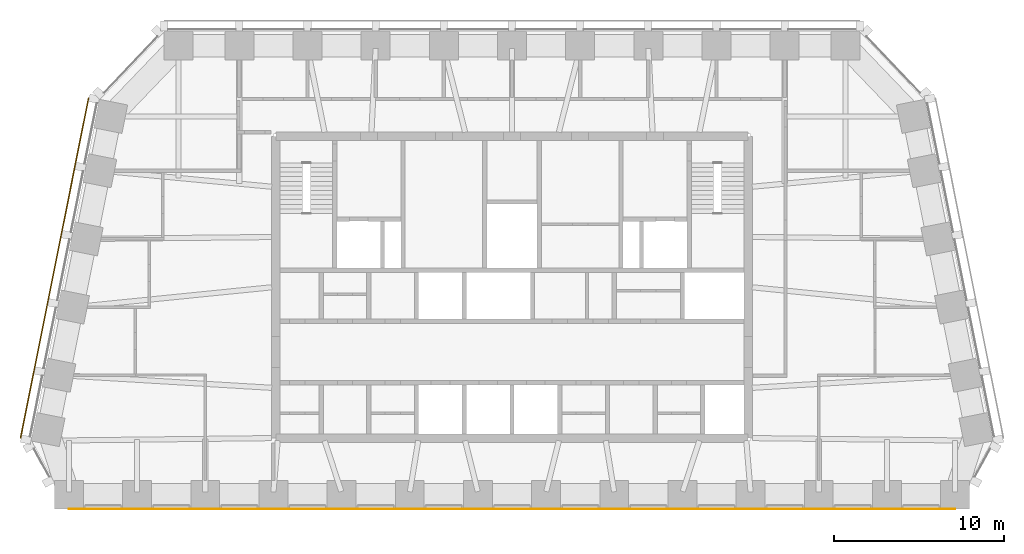
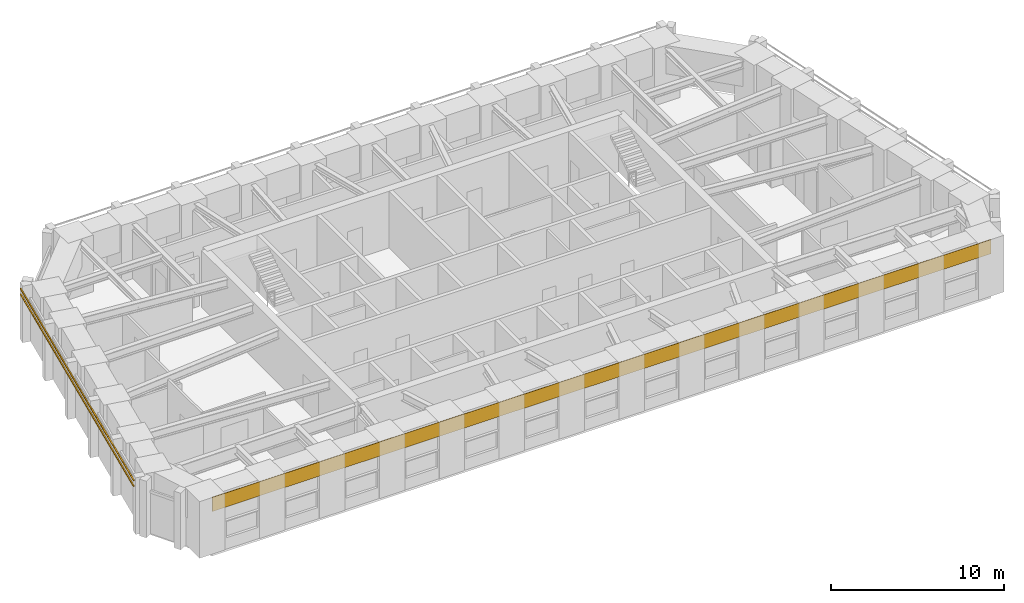
# One storey, part 8 of 9: 2 shading devices, 1 covering.
"""IFC4 building model written with IfcOpenShell, lengths in metres."""

from ifc_helpers import new_model, si_unit, direction, frame, origin, origin_2d, place, context, subcontext, project, spatial, rectangle, extrude, material, layer, layer_set, material_profile, profile_set, type_object, element, save


model = new_model("IFC4")

# Units and contexts
model_context = context("Model", 3, precision=1e-05, world=origin(), true_north=direction((0.0, 1.0)))
body_context = subcontext(model_context, "Body", "Model", "MODEL_VIEW")
ifc_project = project(units=[si_unit("LENGTHUNIT", "METRE"), si_unit("AREAUNIT", "SQUARE_METRE"), si_unit("VOLUMEUNIT", "CUBIC_METRE"), si_unit("PLANEANGLEUNIT", "RADIAN"), si_unit("MASSUNIT", "GRAM", prefix="KILO")], contexts=[model_context])

# Site, building, storey
site_placement = place(None, origin())
site = spatial("IfcSite", under=ifc_project, at=site_placement, CompositionType="ELEMENT")
building_placement = place(site_placement, origin())
building = spatial("IfcBuilding", under=site, at=building_placement, Name="Isbrekke Arena Tower", CompositionType="ELEMENT")
storey_placement = place(building_placement, frame((0.0, 0.0, 312.0)))
storey = spatial("IfcBuildingStorey", under=building, at=storey_placement, Name="L73", CompositionType="ELEMENT", Elevation=312.0)

# Shading devices
ifc_material_1 = material(Name="Terracotta", Category="masonry")
ifc_material_profile = material_profile(ifc_material_1, rectangle(XDim=0.06005859375, YDim=0.06005859375, at=origin_2d()), Name="BAGUETTE 60X60")
ifc_profile_set = profile_set([ifc_material_profile], Name="Terracotta")
shading_device_type = type_object("IfcShadingDeviceType", Name="BG1 TERRACOTTA BAGUETTE 60 x 60", PredefinedType="USERDEFINED", material=ifc_profile_set)
for number, where, z_axis, x_axis, name in (
    (1, (-24.84228515625, 26.12841796875, 3.280029296875), (-0.196116135138, -0.980580675691, 0.0), (0.980580675691, -0.196116135138, 0.0), "BG1 terracotta baguette W1 L73"),
    (2, (-24.84228515625, 26.12841796875, 3.679931640625), (-0.196116135138, -0.980580675691, 0.0), (0.980580675691, -0.196116135138, 0.0), "BG1 terracotta baguette W2 L73"),
):
    element("IfcShadingDevice", number, at=place(storey_placement, frame(where, z_axis=z_axis, x_axis=x_axis)), inside=storey, type_object=shading_device_type, Name=name, ObjectType="TERRACOTTA BAGUETTE", PredefinedType="USERDEFINED", context=body_context, shape_type="SweptSolid", body=[
        extrude(rectangle(XDim=0.06005859375, YDim=0.06005859375, at=origin_2d()), origin(), (0.0, 0.0, 1.0), 20.39599609375),
    ])

# Covering
ifc_material_2 = material(Name="Pre-patinated copper sheet", Category="metal")
ifc_layer = layer(ifc_material_2, 0.02001953125)
ifc_layer_set = layer_set([ifc_layer], Name="CL1 COPPER CLADDING")
covering_type = type_object("IfcCoveringType", Name="CL1 COPPER CLADDING", PredefinedType="CLADDING", material=ifc_layer_set)
covering_placement = place(storey_placement, frame((0.0, 1.989990234375, 3.0), z_axis=(0.0, 0.0, 1.0), x_axis=(1.0, 0.0, 0.0)))
element("IfcCovering", 3, at=covering_placement, inside=storey, type_object=covering_type, Name="CL1 copper cladding L73", PredefinedType="CLADDING", context=body_context, shape_type="SweptSolid", body=[
    extrude(rectangle(XDim=52.0, YDim=0.02001953125, at=origin_2d()), origin(), (0.0, 0.0, 1.0), 1.0),
])

save(model, "model.ifc")
